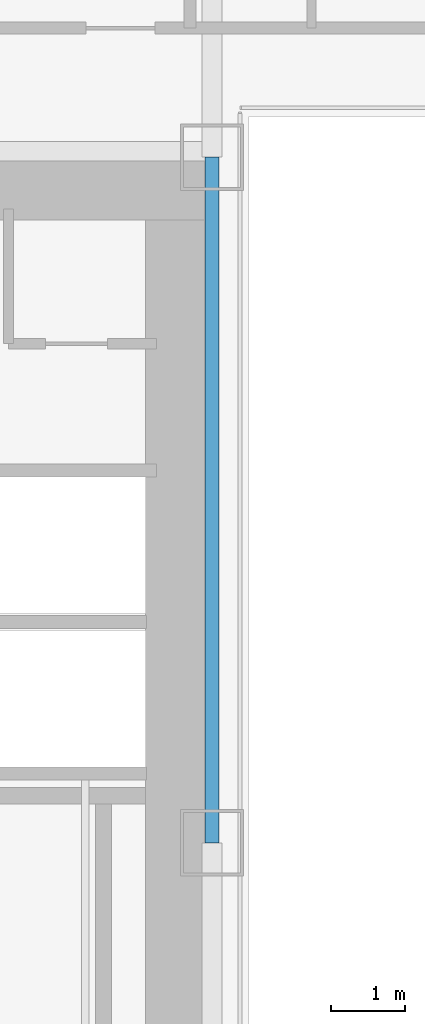
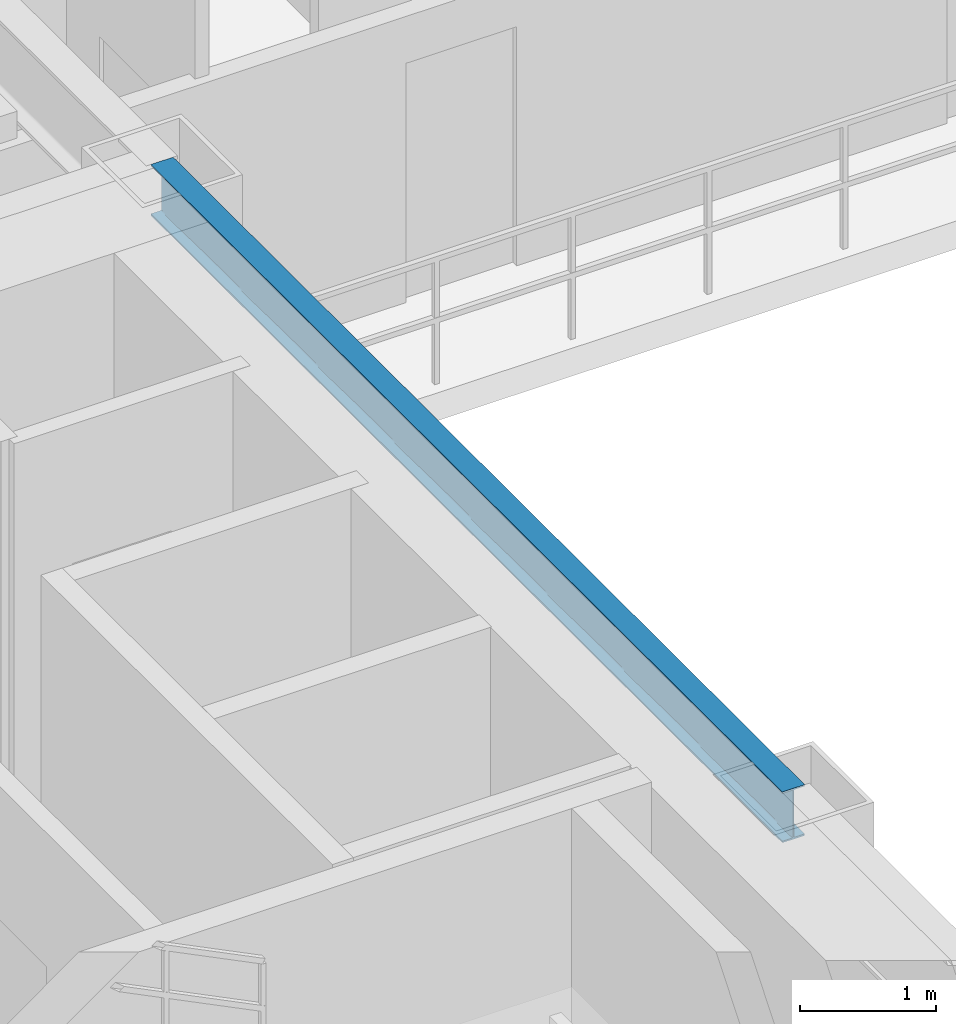
# One storey, part 9 of 36: 1 beam.
"""IFC4 building model written with IfcOpenShell, lengths in metres."""

from ifc_helpers import new_model, si_unit, direction, frame, origin, origin_2d, place, context, subcontext, project, spatial, i_section, extrude, source, transform, mapped, material, material_profile, profile_set, type_object, element, save


model = new_model("IFC4")

# Units and contexts
model_context = context("Model", 3, precision=1e-05, world=origin(), true_north=direction((0.0, 1.0)))
body_context = subcontext(model_context, "Body", "Model", "MODEL_VIEW")
ifc_project = project(units=[si_unit("LENGTHUNIT", "METRE"), si_unit("AREAUNIT", "SQUARE_METRE"), si_unit("VOLUMEUNIT", "CUBIC_METRE"), si_unit("PLANEANGLEUNIT", "RADIAN"), si_unit("MASSUNIT", "GRAM", prefix="KILO")], contexts=[model_context])

# Site, building, storey
site_placement = place(None, origin())
site = spatial("IfcSite", under=ifc_project, at=site_placement, CompositionType="ELEMENT")
building_placement = place(site_placement, origin())
building = spatial("IfcBuilding", under=site, at=building_placement, Name="Ocotamira Hotel", CompositionType="ELEMENT")
storey_placement = place(building_placement, frame((0.0, 0.0, 42.0)))
storey = spatial("IfcBuildingStorey", under=building, at=storey_placement, Name="L09", CompositionType="ELEMENT", Elevation=42.0)

# Beam
ifc_material = material(Name="Steel ASTM A992 Grade 50", Category="steel")
ifc_material_profile = material_profile(ifc_material, i_section(OverallWidth=0.18994140625, OverallDepth=0.45703125, WebThickness=0.009033203125, FlangeThickness=0.014404296875, FilletRadius=0.010009765625, at=origin_2d()), Name="W18X50")
ifc_profile_set = profile_set([ifc_material_profile], Name="Steel ASTM A992 Grade 50")
beam_type = type_object("IfcBeamType", Name="BM-SEC-W18X50", PredefinedType="JOIST", material=ifc_profile_set)
shared_shape = source(origin(), body_context, "Body", "SweptSolid", [
    extrude(i_section(OverallWidth=0.18994140625, OverallDepth=0.45703125, WebThickness=0.009033203125, FlangeThickness=0.014404296875, FilletRadius=0.010009765625, at=origin_2d()), origin(), (0.0, 0.0, 1.0), 9.300048828125),
])
beam_placement = place(storey_placement, frame((23.5, 28.14990234375, 3.12158203125), z_axis=(0.0, 1.0, 0.0), x_axis=(-1.0, 0.0, 0.0)))
element("IfcBeam", 1, at=beam_placement, inside=storey, type_object=beam_type, Name="L09 Beam X23.5 Y28.15-37.45", PredefinedType="JOIST", context=body_context, shape_type="MappedRepresentation", body=[
    mapped(shared_shape, transform((0.0, 0.0, 0.0), scale=1.0)),
])

save(model, "model.ifc")
